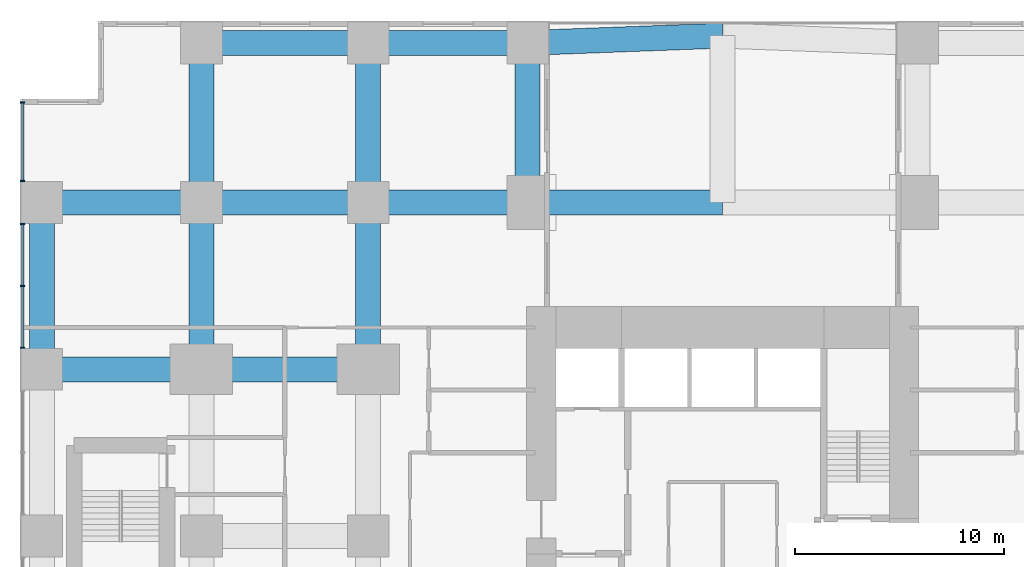
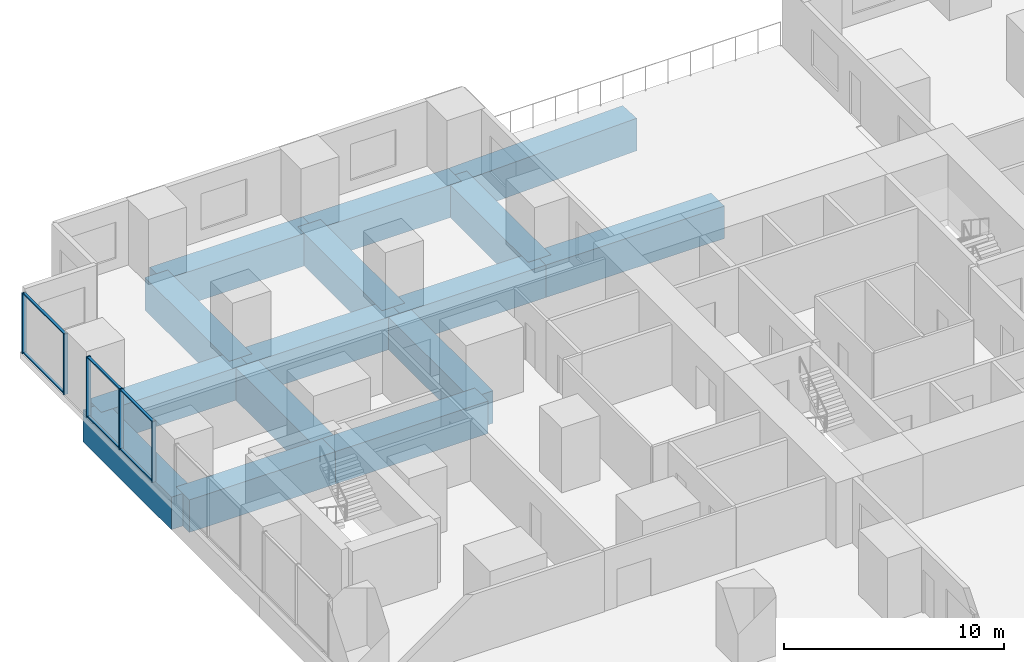
# One storey, part 5 of 15: 15 beams, 11 members, 2 elements without a shape of their own.
"""IFC4 building model written with IfcOpenShell, lengths in metres."""

from ifc_helpers import new_model, si_unit, direction, frame, origin, origin_2d, place, context, subcontext, project, spatial, rectangle, extrude, material, layer, layer_set, material_profile, profile_set, type_object, element, aggregate, save


model = new_model("IFC4")

# Units and contexts
model_context = context("Model", 3, precision=1e-05, world=origin(), true_north=direction((0.0, 1.0)))
body_context = subcontext(model_context, "Body", "Model", "MODEL_VIEW")
ifc_project = project(units=[si_unit("LENGTHUNIT", "METRE"), si_unit("AREAUNIT", "SQUARE_METRE"), si_unit("VOLUMEUNIT", "CUBIC_METRE"), si_unit("PLANEANGLEUNIT", "RADIAN"), si_unit("MASSUNIT", "GRAM", prefix="KILO")], contexts=[model_context])

# Site, building, storey
site_placement = place(None, origin())
site = spatial("IfcSite", under=ifc_project, at=site_placement, CompositionType="ELEMENT")
building_placement = place(site_placement, origin())
building = spatial("IfcBuilding", under=site, at=building_placement, Name="Cleftline Residences", CompositionType="ELEMENT")
storey_placement = place(building_placement, frame((0.0, 0.0, 26.0)))
storey = spatial("IfcBuildingStorey", under=building, at=storey_placement, Name="L05", CompositionType="ELEMENT", Elevation=26.0)

# Beams
ifc_material_1 = material(Name="Concrete B45", Category="concrete")
ifc_material_profile_1 = material_profile(ifc_material_1, rectangle(XDim=1.199951171875, YDim=1.800048828125, at=origin_2d()))
ifc_profile_set_1 = profile_set([ifc_material_profile_1], Name="Concrete B45")
beam_type = type_object("IfcBeamType", Name="BEAM RC1200X1800", PredefinedType="BEAM", material=ifc_profile_set_1)
beam_1_placement = place(storey_placement, frame((0.35009765625, 32.0, -1.25), z_axis=(1.0, 0.0, 0.0), x_axis=(0.0, 1.0, 0.0)))
element("IfcBeam", 1, at=beam_1_placement, inside=storey, type_object=beam_type, Name="Podium beam", PredefinedType="BEAM", context=body_context, shape_type="SweptSolid", body=[
    extrude(rectangle(XDim=1.199951171875, YDim=1.800048828125, at=origin_2d()), origin(), (0.0, 0.0, 1.0), 7.64990234375),
])
beam_2_placement = place(storey_placement, frame((8.0, 32.0, -1.25), z_axis=(1.0, 0.0, 0.0), x_axis=(0.0, 1.0, 0.0)))
element("IfcBeam", 2, at=beam_2_placement, inside=storey, type_object=beam_type, Name="Podium beam", PredefinedType="BEAM", context=body_context, shape_type="SweptSolid", body=[
    extrude(rectangle(XDim=1.199951171875, YDim=1.800048828125, at=origin_2d()), origin(), (0.0, 0.0, 1.0), 8.0),
])
beam_3_placement = place(storey_placement, frame((0.35009765625, 40.0, -1.25), z_axis=(1.0, 0.0, 0.0), x_axis=(0.0, 1.0, 0.0)))
element("IfcBeam", 3, at=beam_3_placement, inside=storey, type_object=beam_type, Name="Podium beam", PredefinedType="BEAM", context=body_context, shape_type="SweptSolid", body=[
    extrude(rectangle(XDim=1.199951171875, YDim=1.800048828125, at=origin_2d()), origin(), (0.0, 0.0, 1.0), 7.64990234375),
])
beam_4_placement = place(storey_placement, frame((8.0, 40.0, -1.25), z_axis=(1.0, 0.0, 0.0), x_axis=(0.0, 1.0, 0.0)))
element("IfcBeam", 4, at=beam_4_placement, inside=storey, type_object=beam_type, Name="Podium beam", PredefinedType="BEAM", context=body_context, shape_type="SweptSolid", body=[
    extrude(rectangle(XDim=1.199951171875, YDim=1.800048828125, at=origin_2d()), origin(), (0.0, 0.0, 1.0), 8.0),
])
beam_5_placement = place(storey_placement, frame((16.0, 40.0, -1.25), z_axis=(1.0, 0.0, 0.0), x_axis=(0.0, 1.0, 0.0)))
element("IfcBeam", 5, at=beam_5_placement, inside=storey, type_object=beam_type, Name="Podium beam", PredefinedType="BEAM", context=body_context, shape_type="SweptSolid", body=[
    extrude(rectangle(XDim=1.199951171875, YDim=1.800048828125, at=origin_2d()), origin(), (0.0, 0.0, 1.0), 7.64990234375),
])
beam_6_placement = place(storey_placement, frame((23.64990234375, 40.0, -1.25), z_axis=(1.0, 0.0, 0.0), x_axis=(0.0, 1.0, 0.0)))
element("IfcBeam", 6, at=beam_6_placement, inside=storey, type_object=beam_type, Name="Podium beam", PredefinedType="BEAM", context=body_context, shape_type="SweptSolid", body=[
    extrude(rectangle(XDim=1.199951171875, YDim=1.800048828125, at=origin_2d()), origin(), (0.0, 0.0, 1.0), 9.35009765625),
])
beam_7_placement = place(storey_placement, frame((8.0, 47.64990234375, -1.25), z_axis=(1.0, 0.0, 0.0), x_axis=(0.0, 1.0, 0.0)))
element("IfcBeam", 7, at=beam_7_placement, inside=storey, type_object=beam_type, Name="Podium beam", PredefinedType="BEAM", context=body_context, shape_type="SweptSolid", body=[
    extrude(rectangle(XDim=1.199951171875, YDim=1.800048828125, at=origin_2d()), origin(), (0.0, 0.0, 1.0), 8.0),
])
beam_8_placement = place(storey_placement, frame((16.0, 47.64990234375, -1.25), z_axis=(1.0, 0.0, 0.0), x_axis=(0.0, 1.0, 0.0)))
element("IfcBeam", 8, at=beam_8_placement, inside=storey, type_object=beam_type, Name="Podium beam", PredefinedType="BEAM", context=body_context, shape_type="SweptSolid", body=[
    extrude(rectangle(XDim=1.199951171875, YDim=1.800048828125, at=origin_2d()), origin(), (0.0, 0.0, 1.0), 7.64990234375),
])
beam_9_placement = place(storey_placement, frame((23.64990234375, 47.64990234375, -1.25), z_axis=(0.999299739303, 0.037416988515, 0.0), x_axis=(-0.037416988515, 0.999299739303, 0.0)))
element("IfcBeam", 9, at=beam_9_placement, inside=storey, type_object=beam_type, Name="Podium beam", PredefinedType="BEAM", context=body_context, shape_type="SweptSolid", body=[
    extrude(rectangle(XDim=1.199951171875, YDim=1.800048828125, at=origin_2d()), origin(), (0.0, 0.0, 1.0), 9.356689453125),
])
for number, where, z_axis, x_axis, name in (
    (10, (0.35009765625, 32.0, -1.25), (0.0, 1.0, 0.0), (-1.0, 0.0, 0.0), "Podium beam"),
    (11, (8.0, 32.0, -1.25), (0.0, 1.0, 0.0), (-1.0, 0.0, 0.0), "Podium beam"),
):
    element("IfcBeam", number, at=place(storey_placement, frame(where, z_axis=z_axis, x_axis=x_axis)), inside=storey, type_object=beam_type, Name=name, PredefinedType="BEAM", context=body_context, shape_type="SweptSolid", body=[
        extrude(rectangle(XDim=1.199951171875, YDim=1.800048828125, at=origin_2d()), origin(), (0.0, 0.0, 1.0), 8.0),
    ])
beam_10_placement = place(storey_placement, frame((8.0, 40.0, -1.25), z_axis=(0.0, 1.0, 0.0), x_axis=(-1.0, 0.0, 0.0)))
element("IfcBeam", 12, at=beam_10_placement, inside=storey, type_object=beam_type, Name="Podium beam", PredefinedType="BEAM", context=body_context, shape_type="SweptSolid", body=[
    extrude(rectangle(XDim=1.199951171875, YDim=1.800048828125, at=origin_2d()), origin(), (0.0, 0.0, 1.0), 7.64990234375),
])
beam_11_placement = place(storey_placement, frame((16.0, 32.0, -1.25), z_axis=(0.0, 1.0, 0.0), x_axis=(-1.0, 0.0, 0.0)))
element("IfcBeam", 13, at=beam_11_placement, inside=storey, type_object=beam_type, Name="Podium beam", PredefinedType="BEAM", context=body_context, shape_type="SweptSolid", body=[
    extrude(rectangle(XDim=1.199951171875, YDim=1.800048828125, at=origin_2d()), origin(), (0.0, 0.0, 1.0), 8.0),
])
for number, where, z_axis, x_axis, name in (
    (14, (16.0, 40.0, -1.25), (0.0, 1.0, 0.0), (-1.0, 0.0, 0.0), "Podium beam"),
    (15, (23.64990234375, 40.0, -1.25), (0.0, 1.0, 0.0), (-1.0, 0.0, 0.0), "Podium beam"),
):
    element("IfcBeam", number, at=place(storey_placement, frame(where, z_axis=z_axis, x_axis=x_axis)), inside=storey, type_object=beam_type, Name=name, PredefinedType="BEAM", context=body_context, shape_type="SweptSolid", body=[
        extrude(rectangle(XDim=1.199951171875, YDim=1.800048828125, at=origin_2d()), origin(), (0.0, 0.0, 1.0), 7.64990234375),
    ])

# Curtain wall, members
ifc_material_2 = material(Name="Aluminium framed curtain wall", Category="aluminium")
ifc_layer = layer(ifc_material_2, 0.199951171875)
ifc_layer_set = layer_set([ifc_layer], Name="CW4 SKY LOUNGE GLAZING")
curtain_wall_type = type_object("IfcCurtainWallType", Name="CW4 SKY LOUNGE GLAZING", PredefinedType="NOTDEFINED", material=ifc_layer_set)
curtain_wall_1_placement = place(storey_placement, origin())
curtain_wall_1 = element("IfcCurtainWall", 16, at=curtain_wall_1_placement, inside=storey, type_object=curtain_wall_type, Name="Curtain wall CW4", PredefinedType="NOTDEFINED")
ifc_material_3 = material(Name="Aluminium mullion", Category="aluminium")
ifc_material_profile_2 = material_profile(ifc_material_3, rectangle(XDim=0.219970703125, YDim=0.06494140625, at=origin_2d()))
ifc_profile_set_2 = profile_set([ifc_material_profile_2], Name="Aluminium mullion")
member_type_1 = type_object("IfcMemberType", Name="CW4 MULLION", PredefinedType="MULLION", material=ifc_profile_set_2)
member_1_placement = place(storey_placement, frame((-0.574951171875, 44.79248046875, 0.0), z_axis=(0.0, 0.0, 1.0), x_axis=(1.0, 0.0, 0.0)))
member_1 = element("IfcMember", 17, at=member_1_placement, type_object=member_type_1, Name="CW4 mullion 1", PredefinedType="MULLION", context=body_context, shape_type="SweptSolid", body=[
    extrude(rectangle(XDim=0.219970703125, YDim=0.06494140625, at=origin_2d()), origin(), (0.0, 0.0, 1.0), 3.35009765625),
])
member_2_placement = place(storey_placement, frame((-0.574951171875, 41.032470703125, 0.0), z_axis=(0.0, 0.0, 1.0), x_axis=(1.0, 0.0, 0.0)))
member_2 = element("IfcMember", 18, at=member_2_placement, type_object=member_type_1, Name="CW4 mullion 2", PredefinedType="MULLION", context=body_context, shape_type="SweptSolid", body=[
    extrude(rectangle(XDim=0.219970703125, YDim=0.06494140625, at=origin_2d()), origin(), (0.0, 0.0, 1.0), 3.35009765625),
])

curtain_wall_2_placement = place(storey_placement, origin())
curtain_wall_2 = element("IfcCurtainWall", 19, at=curtain_wall_2_placement, inside=storey, type_object=curtain_wall_type, Name="Curtain wall CW4", PredefinedType="NOTDEFINED")
member_3_placement = place(storey_placement, frame((-0.574951171875, 38.967529296875, 0.0), z_axis=(0.0, 0.0, 1.0), x_axis=(1.0, 0.0, 0.0)))
member_3 = element("IfcMember", 20, at=member_3_placement, type_object=member_type_1, Name="CW4 mullion 1", PredefinedType="MULLION", context=body_context, shape_type="SweptSolid", body=[
    extrude(rectangle(XDim=0.219970703125, YDim=0.06494140625, at=origin_2d()), origin(), (0.0, 0.0, 1.0), 3.35009765625),
])
member_4_placement = place(storey_placement, frame((-0.574951171875, 36.0, 0.0), z_axis=(0.0, 0.0, 1.0), x_axis=(1.0, 0.0, 0.0)))
member_4 = element("IfcMember", 21, at=member_4_placement, type_object=member_type_1, Name="CW4 mullion 2", PredefinedType="MULLION", context=body_context, shape_type="SweptSolid", body=[
    extrude(rectangle(XDim=0.219970703125, YDim=0.06494140625, at=origin_2d()), origin(), (0.0, 0.0, 1.0), 3.35009765625),
])
member_5_placement = place(storey_placement, frame((-0.574951171875, 33.032470703125, 0.0), z_axis=(0.0, 0.0, 1.0), x_axis=(1.0, 0.0, 0.0)))
member_5 = element("IfcMember", 22, at=member_5_placement, type_object=member_type_1, Name="CW4 mullion 3", PredefinedType="MULLION", context=body_context, shape_type="SweptSolid", body=[
    extrude(rectangle(XDim=0.219970703125, YDim=0.06494140625, at=origin_2d()), origin(), (0.0, 0.0, 1.0), 3.35009765625),
])

# Member
ifc_material_4 = material(Name="Aluminium transom", Category="aluminium")
ifc_material_profile_3 = material_profile(ifc_material_4, rectangle(XDim=0.132080078125, YDim=0.06494140625, at=origin_2d()))
ifc_profile_set_3 = profile_set([ifc_material_profile_3], Name="Aluminium transom")
member_type_2 = type_object("IfcMemberType", Name="CW4 TRANSOM", PredefinedType="USERDEFINED", material=ifc_profile_set_3)
member_6_placement = place(storey_placement, frame((-0.574951171875, 44.760009765625, 0.032470703125), z_axis=(0.0, -1.0, 0.0), x_axis=(1.0, 0.0, 0.0)))
member_6 = element("IfcMember", 23, at=member_6_placement, type_object=member_type_2, Name="CW4 transom 1.1", ObjectType="TRANSOM", PredefinedType="USERDEFINED", context=body_context, shape_type="SweptSolid", body=[
    extrude(rectangle(XDim=0.132080078125, YDim=0.06494140625, at=origin_2d()), origin(), (0.0, 0.0, 1.0), 3.695068359375),
])

member_7_placement = place(storey_placement, frame((-0.574951171875, 44.760009765625, 3.3173828125), z_axis=(0.0, -1.0, 0.0), x_axis=(1.0, 0.0, 0.0)))
member_7 = element("IfcMember", 24, at=member_7_placement, type_object=member_type_2, Name="CW4 transom 1.2", ObjectType="TRANSOM", PredefinedType="USERDEFINED", context=body_context, shape_type="SweptSolid", body=[
    extrude(rectangle(XDim=0.132080078125, YDim=0.06494140625, at=origin_2d()), origin(), (0.0, 0.0, 1.0), 3.695068359375),
])

aggregate(curtain_wall_1, [member_1, member_2, member_6, member_7])

member_8_placement = place(storey_placement, frame((-0.574951171875, 38.93505859375, 0.032470703125), z_axis=(0.0, -1.0, 0.0), x_axis=(1.0, 0.0, 0.0)))
member_8 = element("IfcMember", 25, at=member_8_placement, type_object=member_type_2, Name="CW4 transom 1.1", ObjectType="TRANSOM", PredefinedType="USERDEFINED", context=body_context, shape_type="SweptSolid", body=[
    extrude(rectangle(XDim=0.132080078125, YDim=0.06494140625, at=origin_2d()), origin(), (0.0, 0.0, 1.0), 2.902587890625),
])

member_9_placement = place(storey_placement, frame((-0.574951171875, 38.93505859375, 3.3173828125), z_axis=(0.0, -1.0, 0.0), x_axis=(1.0, 0.0, 0.0)))
member_9 = element("IfcMember", 26, at=member_9_placement, type_object=member_type_2, Name="CW4 transom 1.2", ObjectType="TRANSOM", PredefinedType="USERDEFINED", context=body_context, shape_type="SweptSolid", body=[
    extrude(rectangle(XDim=0.132080078125, YDim=0.06494140625, at=origin_2d()), origin(), (0.0, 0.0, 1.0), 2.902587890625),
])

member_10_placement = place(storey_placement, frame((-0.574951171875, 35.967529296875, 0.032470703125), z_axis=(0.0, -1.0, 0.0), x_axis=(1.0, 0.0, 0.0)))
member_10 = element("IfcMember", 27, at=member_10_placement, type_object=member_type_2, Name="CW4 transom 2.1", ObjectType="TRANSOM", PredefinedType="USERDEFINED", context=body_context, shape_type="SweptSolid", body=[
    extrude(rectangle(XDim=0.132080078125, YDim=0.06494140625, at=origin_2d()), origin(), (0.0, 0.0, 1.0), 2.902587890625),
])

member_11_placement = place(storey_placement, frame((-0.574951171875, 35.967529296875, 3.3173828125), z_axis=(0.0, -1.0, 0.0), x_axis=(1.0, 0.0, 0.0)))
member_11 = element("IfcMember", 28, at=member_11_placement, type_object=member_type_2, Name="CW4 transom 2.2", ObjectType="TRANSOM", PredefinedType="USERDEFINED", context=body_context, shape_type="SweptSolid", body=[
    extrude(rectangle(XDim=0.132080078125, YDim=0.06494140625, at=origin_2d()), origin(), (0.0, 0.0, 1.0), 2.902587890625),
])

aggregate(curtain_wall_2, [member_3, member_4, member_5, member_8, member_9, member_10, member_11])

save(model, "model.ifc")
